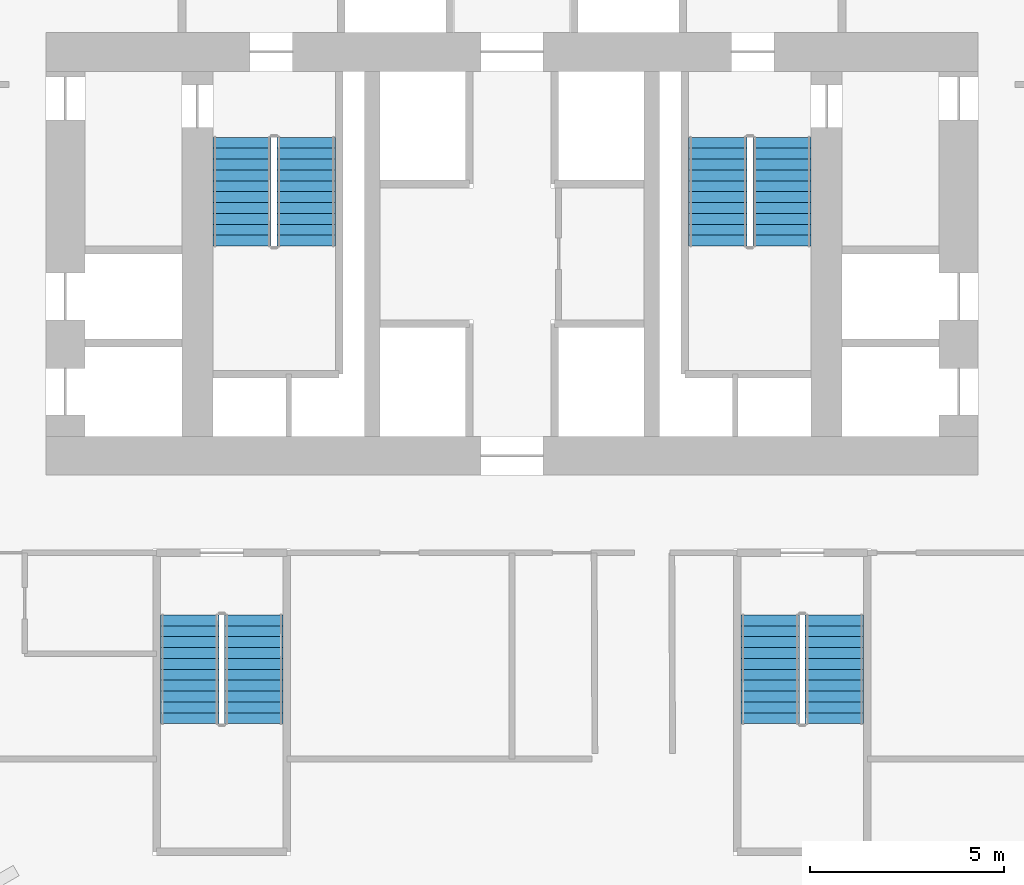
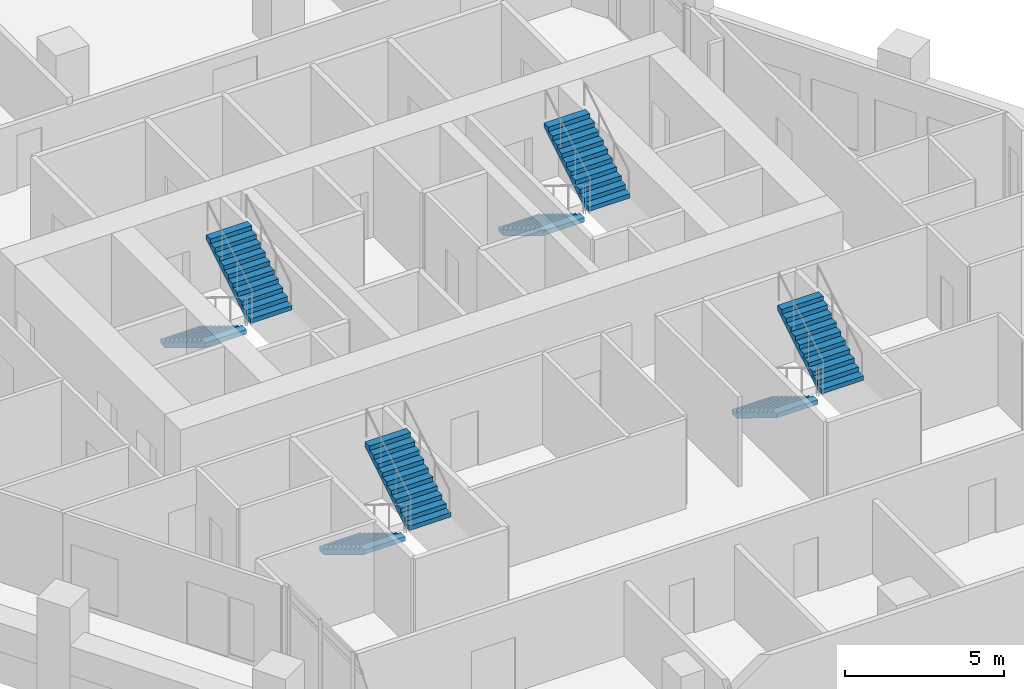
# One storey, part 34 of 37: 8 stair flights, 4 elements without a shape of their own.
"""IFC4 building model written with IfcOpenShell, lengths in metres."""

from ifc_helpers import new_model, si_unit, direction, frame, origin, place, context, subcontext, project, spatial, polyline, outline, extrude, material, type_object, element, aggregate, save


model = new_model("IFC4")

# Units and contexts
model_context = context("Model", 3, precision=1e-05, world=origin(), true_north=direction((0.0, 1.0)))
body_context = subcontext(model_context, "Body", "Model", "MODEL_VIEW")
ifc_project = project(units=[si_unit("LENGTHUNIT", "METRE"), si_unit("AREAUNIT", "SQUARE_METRE"), si_unit("VOLUMEUNIT", "CUBIC_METRE"), si_unit("PLANEANGLEUNIT", "RADIAN"), si_unit("MASSUNIT", "GRAM", prefix="KILO")], contexts=[model_context])

# Site, building, storey
site_placement = place(None, origin())
site = spatial("IfcSite", under=ifc_project, at=site_placement, CompositionType="ELEMENT")
building_placement = place(site_placement, origin())
building = spatial("IfcBuilding", under=site, at=building_placement, Name="Ostrander Bayou Hotel Tower", CompositionType="ELEMENT")
storey_placement = place(building_placement, frame((0.0, 0.0, 93.0)))
storey = spatial("IfcBuildingStorey", under=building, at=storey_placement, Name="L23", CompositionType="ELEMENT", Elevation=93.0)

# Stair, stair flights
ifc_material_1 = material(Name="Concrete f'c 45 MPa", Category="concrete")
stair_type = type_object("IfcStairType", Name="ST1 exit stair 1500 mm f'c 45 MPa", PredefinedType="HALF_TURN_STAIR", material=ifc_material_1)
stair_1_placement = place(storey_placement, origin())
stair_1 = element("IfcStair", 1, at=stair_1_placement, inside=storey, type_object=stair_type, Name="L23 exit stair A", PredefinedType="HALF_TURN_STAIR")
ifc_material_2 = material(Name="Concrete f'c 45 MPa", Category="concrete")
stair_flight_type = type_object("IfcStairFlightType", Name="SF1 stair flight 1500 mm f'c 45 MPa", PredefinedType="STRAIGHT", material=ifc_material_2)
stair_flight_1_placement = place(storey_placement, frame((-6.949951171875, 7.0, 0.0), z_axis=(0.0, 0.0, 1.0), x_axis=(0.0, -1.0, 0.0)))
stair_flight_1 = element("IfcStairFlight", 2, at=stair_flight_1_placement, type_object=stair_flight_type, Name="STA flight 1", NumberOfRisers=11, NumberOfTreads=10, PredefinedType="STRAIGHT", RiserHeight=0.170454545, TreadLength=0.28, context=body_context, shape_type="SweptSolid", body=[
    extrude(outline(polyline([(0.0, 0.0), (0.0, 0.17041015625), (0.280029296875, 0.17041015625), (0.280029296875, 0.3408203125), (0.56005859375, 0.3408203125), (0.56005859375, 0.511474609375), (0.840087890625, 0.511474609375), (0.840087890625, 0.681884765625), (1.1201171875, 0.681884765625), (1.1201171875, 0.852294921875), (1.39990234375, 0.852294921875), (1.39990234375, 1.022705078125), (1.679931640625, 1.022705078125), (1.679931640625, 1.193115234375), (1.9599609375, 1.193115234375), (1.9599609375, 1.363525390625), (2.239990234375, 1.363525390625), (2.239990234375, 1.5341796875), (2.52001953125, 1.5341796875), (2.52001953125, 1.70458984375), (2.800048828125, 1.70458984375), (2.800048828125, 1.875), (2.800048828125, 1.529052734375), (0.288330078125, 0.0), (0.0, 0.0)])), frame((0.0, 0.75, 0.0), z_axis=(0.0, -1.0, 0.0), x_axis=(1.0, 0.0, 0.0)), (0.0, 0.0, 1.0), 1.5),
])
stair_flight_2_placement = place(storey_placement, frame((-5.300048828125, 4.199951171875, 1.875), z_axis=(0.0, 0.0, 1.0), x_axis=(0.0, 1.0, 0.0)))
stair_flight_2 = element("IfcStairFlight", 3, at=stair_flight_2_placement, type_object=stair_flight_type, Name="STA flight 2", NumberOfRisers=11, NumberOfTreads=10, PredefinedType="STRAIGHT", RiserHeight=0.170454545, TreadLength=0.28, context=body_context, shape_type="SweptSolid", body=[
    extrude(outline(polyline([(0.0, 0.0), (0.0, 0.17041015625), (0.280029296875, 0.17041015625), (0.280029296875, 0.3408203125), (0.56005859375, 0.3408203125), (0.56005859375, 0.511474609375), (0.840087890625, 0.511474609375), (0.840087890625, 0.681884765625), (1.1201171875, 0.681884765625), (1.1201171875, 0.852294921875), (1.39990234375, 0.852294921875), (1.39990234375, 1.022705078125), (1.679931640625, 1.022705078125), (1.679931640625, 1.193115234375), (1.9599609375, 1.193115234375), (1.9599609375, 1.363525390625), (2.239990234375, 1.363525390625), (2.239990234375, 1.5341796875), (2.52001953125, 1.5341796875), (2.52001953125, 1.70458984375), (2.800048828125, 1.70458984375), (2.800048828125, 1.875), (2.800048828125, 1.529052734375), (0.288330078125, 0.0), (0.0, 0.0)])), frame((0.0, 0.75, 0.0), z_axis=(0.0, -1.0, 0.0), x_axis=(1.0, 0.0, 0.0)), (0.0, 0.0, 1.0), 1.5),
])
aggregate(stair_1, [stair_flight_1, stair_flight_2])

stair_2_placement = place(storey_placement, origin())
stair_2 = element("IfcStair", 4, at=stair_2_placement, inside=storey, type_object=stair_type, Name="L23 exit stair B", PredefinedType="HALF_TURN_STAIR")
stair_flight_3_placement = place(storey_placement, frame((5.300048828125, 7.0, 0.0), z_axis=(0.0, 0.0, 1.0), x_axis=(0.0, -1.0, 0.0)))
stair_flight_3 = element("IfcStairFlight", 5, at=stair_flight_3_placement, type_object=stair_flight_type, Name="STB flight 1", NumberOfRisers=11, NumberOfTreads=10, PredefinedType="STRAIGHT", RiserHeight=0.170454545, TreadLength=0.28, context=body_context, shape_type="SweptSolid", body=[
    extrude(outline(polyline([(0.0, 0.0), (0.0, 0.17041015625), (0.280029296875, 0.17041015625), (0.280029296875, 0.3408203125), (0.56005859375, 0.3408203125), (0.56005859375, 0.511474609375), (0.840087890625, 0.511474609375), (0.840087890625, 0.681884765625), (1.1201171875, 0.681884765625), (1.1201171875, 0.852294921875), (1.39990234375, 0.852294921875), (1.39990234375, 1.022705078125), (1.679931640625, 1.022705078125), (1.679931640625, 1.193115234375), (1.9599609375, 1.193115234375), (1.9599609375, 1.363525390625), (2.239990234375, 1.363525390625), (2.239990234375, 1.5341796875), (2.52001953125, 1.5341796875), (2.52001953125, 1.70458984375), (2.800048828125, 1.70458984375), (2.800048828125, 1.875), (2.800048828125, 1.529052734375), (0.288330078125, 0.0), (0.0, 0.0)])), frame((0.0, 0.75, 0.0), z_axis=(0.0, -1.0, 0.0), x_axis=(1.0, 0.0, 0.0)), (0.0, 0.0, 1.0), 1.5),
])
stair_flight_4_placement = place(storey_placement, frame((6.949951171875, 4.199951171875, 1.875), z_axis=(0.0, 0.0, 1.0), x_axis=(0.0, 1.0, 0.0)))
stair_flight_4 = element("IfcStairFlight", 6, at=stair_flight_4_placement, type_object=stair_flight_type, Name="STB flight 2", NumberOfRisers=11, NumberOfTreads=10, PredefinedType="STRAIGHT", RiserHeight=0.170454545, TreadLength=0.28, context=body_context, shape_type="SweptSolid", body=[
    extrude(outline(polyline([(0.0, 0.0), (0.0, 0.17041015625), (0.280029296875, 0.17041015625), (0.280029296875, 0.3408203125), (0.56005859375, 0.3408203125), (0.56005859375, 0.511474609375), (0.840087890625, 0.511474609375), (0.840087890625, 0.681884765625), (1.1201171875, 0.681884765625), (1.1201171875, 0.852294921875), (1.39990234375, 0.852294921875), (1.39990234375, 1.022705078125), (1.679931640625, 1.022705078125), (1.679931640625, 1.193115234375), (1.9599609375, 1.193115234375), (1.9599609375, 1.363525390625), (2.239990234375, 1.363525390625), (2.239990234375, 1.5341796875), (2.52001953125, 1.5341796875), (2.52001953125, 1.70458984375), (2.800048828125, 1.70458984375), (2.800048828125, 1.875), (2.800048828125, 1.529052734375), (0.288330078125, 0.0), (0.0, 0.0)])), frame((0.0, 0.75, 0.0), z_axis=(0.0, -1.0, 0.0), x_axis=(1.0, 0.0, 0.0)), (0.0, 0.0, 1.0), 1.5),
])
aggregate(stair_2, [stair_flight_3, stair_flight_4])

stair_3_placement = place(storey_placement, origin())
stair_3 = element("IfcStair", 7, at=stair_3_placement, inside=storey, type_object=stair_type, Name="L23 exit stair C", PredefinedType="HALF_TURN_STAIR")
stair_flight_5_placement = place(storey_placement, frame((6.64990234375, -5.300048828125, 0.0), z_axis=(0.0, 0.0, 1.0), x_axis=(0.0, -1.0, 0.0)))
stair_flight_5 = element("IfcStairFlight", 8, at=stair_flight_5_placement, type_object=stair_flight_type, Name="STC flight 1", NumberOfRisers=11, NumberOfTreads=10, PredefinedType="STRAIGHT", RiserHeight=0.170454545, TreadLength=0.28, context=body_context, shape_type="SweptSolid", body=[
    extrude(outline(polyline([(0.0, 0.0), (0.0, 0.17041015625), (0.280029296875, 0.17041015625), (0.280029296875, 0.3408203125), (0.56005859375, 0.3408203125), (0.56005859375, 0.511474609375), (0.840087890625, 0.511474609375), (0.840087890625, 0.681884765625), (1.1201171875, 0.681884765625), (1.1201171875, 0.852294921875), (1.39990234375, 0.852294921875), (1.39990234375, 1.022705078125), (1.679931640625, 1.022705078125), (1.679931640625, 1.193115234375), (1.9599609375, 1.193115234375), (1.9599609375, 1.363525390625), (2.239990234375, 1.363525390625), (2.239990234375, 1.5341796875), (2.52001953125, 1.5341796875), (2.52001953125, 1.70458984375), (2.800048828125, 1.70458984375), (2.800048828125, 1.875), (2.800048828125, 1.529052734375), (0.288330078125, 0.0), (0.0, 0.0)])), frame((0.0, 0.75, 0.0), z_axis=(0.0, -1.0, 0.0), x_axis=(1.0, 0.0, 0.0)), (0.0, 0.0, 1.0), 1.5),
])
stair_flight_6_placement = place(storey_placement, frame((8.300048828125, -8.10009765625, 1.875), z_axis=(0.0, 0.0, 1.0), x_axis=(0.0, 1.0, 0.0)))
stair_flight_6 = element("IfcStairFlight", 9, at=stair_flight_6_placement, type_object=stair_flight_type, Name="STC flight 2", NumberOfRisers=11, NumberOfTreads=10, PredefinedType="STRAIGHT", RiserHeight=0.170454545, TreadLength=0.28, context=body_context, shape_type="SweptSolid", body=[
    extrude(outline(polyline([(0.0, 0.0), (0.0, 0.17041015625), (0.280029296875, 0.17041015625), (0.280029296875, 0.3408203125), (0.56005859375, 0.3408203125), (0.56005859375, 0.511474609375), (0.840087890625, 0.511474609375), (0.840087890625, 0.681884765625), (1.1201171875, 0.681884765625), (1.1201171875, 0.852294921875), (1.39990234375, 0.852294921875), (1.39990234375, 1.022705078125), (1.679931640625, 1.022705078125), (1.679931640625, 1.193115234375), (1.9599609375, 1.193115234375), (1.9599609375, 1.363525390625), (2.239990234375, 1.363525390625), (2.239990234375, 1.5341796875), (2.52001953125, 1.5341796875), (2.52001953125, 1.70458984375), (2.800048828125, 1.70458984375), (2.800048828125, 1.875), (2.800048828125, 1.529052734375), (0.288330078125, 0.0), (0.0, 0.0)])), frame((0.0, 0.75, 0.0), z_axis=(0.0, -1.0, 0.0), x_axis=(1.0, 0.0, 0.0)), (0.0, 0.0, 1.0), 1.5),
])
aggregate(stair_3, [stair_flight_5, stair_flight_6])

stair_4_placement = place(storey_placement, origin())
stair_4 = element("IfcStair", 10, at=stair_4_placement, inside=storey, type_object=stair_type, Name="L23 exit stair D", PredefinedType="HALF_TURN_STAIR")
stair_flight_7_placement = place(storey_placement, frame((-8.300048828125, -5.300048828125, 0.0), z_axis=(0.0, 0.0, 1.0), x_axis=(0.0, -1.0, 0.0)))
stair_flight_7 = element("IfcStairFlight", 11, at=stair_flight_7_placement, type_object=stair_flight_type, Name="STD flight 1", NumberOfRisers=11, NumberOfTreads=10, PredefinedType="STRAIGHT", RiserHeight=0.170454545, TreadLength=0.28, context=body_context, shape_type="SweptSolid", body=[
    extrude(outline(polyline([(0.0, 0.0), (0.0, 0.17041015625), (0.280029296875, 0.17041015625), (0.280029296875, 0.3408203125), (0.56005859375, 0.3408203125), (0.56005859375, 0.511474609375), (0.840087890625, 0.511474609375), (0.840087890625, 0.681884765625), (1.1201171875, 0.681884765625), (1.1201171875, 0.852294921875), (1.39990234375, 0.852294921875), (1.39990234375, 1.022705078125), (1.679931640625, 1.022705078125), (1.679931640625, 1.193115234375), (1.9599609375, 1.193115234375), (1.9599609375, 1.363525390625), (2.239990234375, 1.363525390625), (2.239990234375, 1.5341796875), (2.52001953125, 1.5341796875), (2.52001953125, 1.70458984375), (2.800048828125, 1.70458984375), (2.800048828125, 1.875), (2.800048828125, 1.529052734375), (0.288330078125, 0.0), (0.0, 0.0)])), frame((0.0, 0.75, 0.0), z_axis=(0.0, -1.0, 0.0), x_axis=(1.0, 0.0, 0.0)), (0.0, 0.0, 1.0), 1.5),
])
stair_flight_8_placement = place(storey_placement, frame((-6.64990234375, -8.10009765625, 1.875), z_axis=(0.0, 0.0, 1.0), x_axis=(0.0, 1.0, 0.0)))
stair_flight_8 = element("IfcStairFlight", 12, at=stair_flight_8_placement, type_object=stair_flight_type, Name="STD flight 2", NumberOfRisers=11, NumberOfTreads=10, PredefinedType="STRAIGHT", RiserHeight=0.170454545, TreadLength=0.28, context=body_context, shape_type="SweptSolid", body=[
    extrude(outline(polyline([(0.0, 0.0), (0.0, 0.17041015625), (0.280029296875, 0.17041015625), (0.280029296875, 0.3408203125), (0.56005859375, 0.3408203125), (0.56005859375, 0.511474609375), (0.840087890625, 0.511474609375), (0.840087890625, 0.681884765625), (1.1201171875, 0.681884765625), (1.1201171875, 0.852294921875), (1.39990234375, 0.852294921875), (1.39990234375, 1.022705078125), (1.679931640625, 1.022705078125), (1.679931640625, 1.193115234375), (1.9599609375, 1.193115234375), (1.9599609375, 1.363525390625), (2.239990234375, 1.363525390625), (2.239990234375, 1.5341796875), (2.52001953125, 1.5341796875), (2.52001953125, 1.70458984375), (2.800048828125, 1.70458984375), (2.800048828125, 1.875), (2.800048828125, 1.529052734375), (0.288330078125, 0.0), (0.0, 0.0)])), frame((0.0, 0.75, 0.0), z_axis=(0.0, -1.0, 0.0), x_axis=(1.0, 0.0, 0.0)), (0.0, 0.0, 1.0), 1.5),
])
aggregate(stair_4, [stair_flight_7, stair_flight_8])

save(model, "model.ifc")
